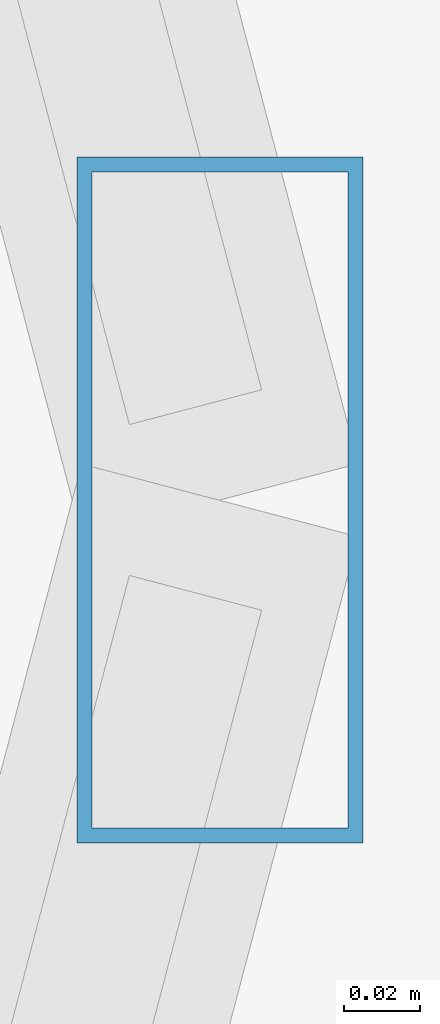
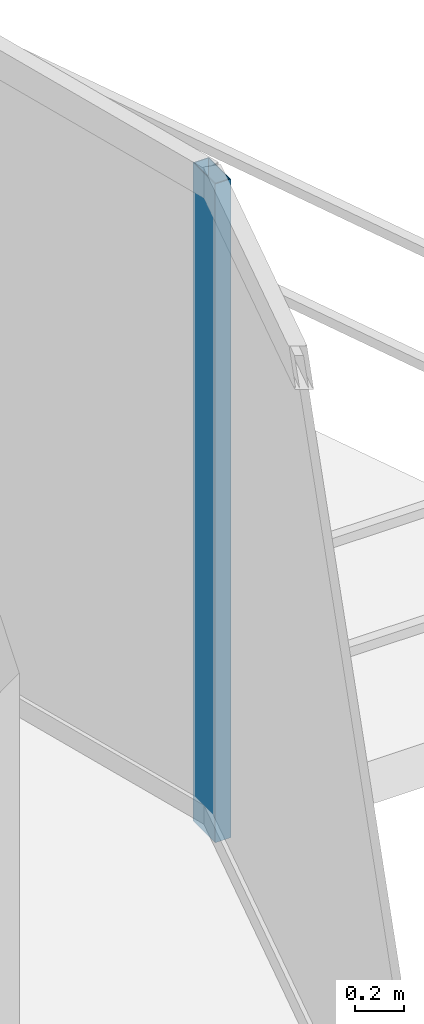
# One storey, part 15 of 33: 1 member, 1 element without a shape of its own.
"""IFC4 building model written with IfcOpenShell, lengths in metres."""

from ifc_helpers import new_model, si_unit, direction, frame, origin, origin_2d, place, context, subcontext, project, spatial, hollow_rectangle, extrude, material, material_profile, profile_set, type_object, element, aggregate, save


model = new_model("IFC4")

# Units and contexts
model_context = context("Model", 3, precision=1e-05, world=origin(), true_north=direction((0.0, 1.0)))
body_context = subcontext(model_context, "Body", "Model", "MODEL_VIEW")
ifc_project = project(units=[si_unit("LENGTHUNIT", "METRE"), si_unit("AREAUNIT", "SQUARE_METRE"), si_unit("VOLUMEUNIT", "CUBIC_METRE"), si_unit("PLANEANGLEUNIT", "RADIAN"), si_unit("MASSUNIT", "GRAM", prefix="KILO")], contexts=[model_context])

# Site, building, storey
site_placement = place(None, origin())
site = spatial("IfcSite", under=ifc_project, at=site_placement, CompositionType="ELEMENT")
building_placement = place(site_placement, origin())
building = spatial("IfcBuilding", under=site, at=building_placement, Name="Vorneva Point Tower", CompositionType="ELEMENT")
storey_placement = place(building_placement, frame((0.0, 0.0, 38.0)))
storey = spatial("IfcBuildingStorey", under=building, at=storey_placement, Name="L09", CompositionType="ELEMENT", Elevation=38.0)

# Curtain wall, member
ifc_material = material(Name="Pale anodised aluminium", Category="aluminium")
curtain_wall_type = type_object("IfcCurtainWallType", Name="CW-HTL-SYS", PredefinedType="NOTDEFINED", material=ifc_material)
curtain_wall_placement = place(storey_placement, origin())
curtain_wall = element("IfcCurtainWall", 1, at=curtain_wall_placement, inside=storey, type_object=curtain_wall_type, Name="L09 Unitised Curtain Wall CW-L09-R01", PredefinedType="NOTDEFINED")
ifc_material_profile = material_profile(ifc_material, hollow_rectangle(XDim=0.074951171875, YDim=0.179931640625, WallThickness=0.00390625, at=origin_2d()), Name="AL-MUL 180x75x4")
ifc_profile_set = profile_set([ifc_material_profile], Name="Pale anodised aluminium")
member_type = type_object("IfcMemberType", Name="CW-MUL-180", PredefinedType="MULLION", material=ifc_profile_set)
member_placement = place(storey_placement, frame((67.550048828125, 26.0, -0.0400390625), z_axis=(0.0, 0.0, 1.0), x_axis=(1.0, 0.0, 0.0)))
member = element("IfcMember", 2, at=member_placement, type_object=member_type, Name="CW-L09-R01 Mullion 03", PredefinedType="MULLION", context=body_context, shape_type="SweptSolid", body=[
    extrude(hollow_rectangle(XDim=0.074951171875, YDim=0.179931640625, WallThickness=0.00390625, at=origin_2d()), origin(), (0.0, 0.0, 1.0), 3.31005859375),
])
aggregate(curtain_wall, [member])

save(model, "model.ifc")
